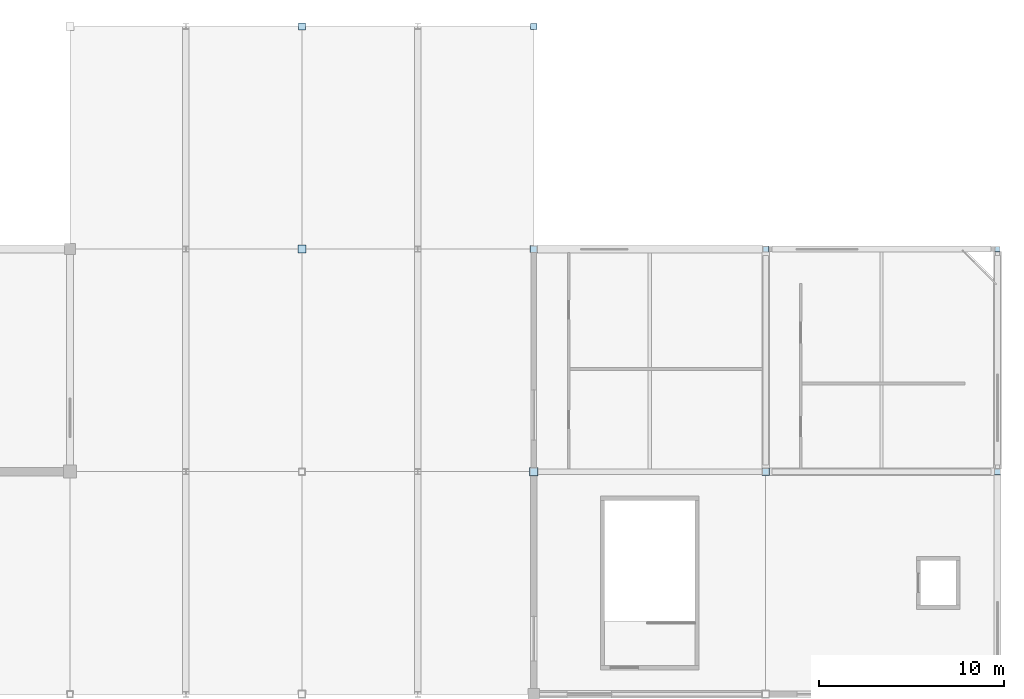
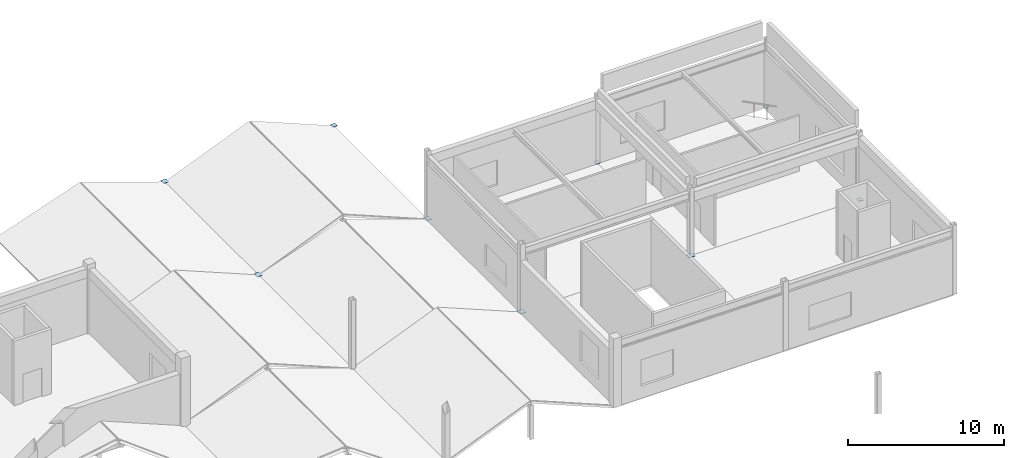
# One storey, part 61 of 76: 9 plates.
"""IFC4 building model written with IfcOpenShell, lengths in metres."""

from ifc_helpers import new_model, si_unit, direction, frame, origin, origin_2d, place, context, subcontext, project, spatial, rectangle, extrude, material, layer, layer_set, type_object, element, save


model = new_model("IFC4")

# Units and contexts
model_context = context("Model", 3, precision=1e-05, world=origin(), true_north=direction((0.0, 1.0)))
body_context = subcontext(model_context, "Body", "Model", "MODEL_VIEW")
ifc_project = project(units=[si_unit("LENGTHUNIT", "METRE"), si_unit("AREAUNIT", "SQUARE_METRE"), si_unit("VOLUMEUNIT", "CUBIC_METRE"), si_unit("PLANEANGLEUNIT", "RADIAN"), si_unit("MASSUNIT", "GRAM", prefix="KILO")], contexts=[model_context])

# Site, building, storey
site_placement = place(None, origin())
site = spatial("IfcSite", under=ifc_project, at=site_placement, CompositionType="ELEMENT")
building_placement = place(site_placement, origin())
building = spatial("IfcBuilding", under=site, at=building_placement, Name="Kazenohara Klinker Stadium", CompositionType="ELEMENT")
storey_placement = place(building_placement, frame((0.0, 0.0, 25.800048828125)))
storey = spatial("IfcBuildingStorey", under=building, at=storey_placement, Name="L05", CompositionType="ELEMENT", Elevation=25.800048828125)

# Plates
ifc_material = material(Name="Steel S355", Category="steel")
ifc_layer_1 = layer(ifc_material, 0.02001953125)
ifc_layer_set_1 = layer_set([ifc_layer_1], Name="Steel S355")
plate_type_1 = type_object("IfcPlateType", Name="PLT-GP01", PredefinedType="USERDEFINED", material=ifc_layer_set_1)
for number, where, z_axis, x_axis, name in (
    (1, (187.5, 156.0, -0.010009765625), (0.0, 0.0, 1.0), (1.0, 0.0, 0.0), "Hollow column end-cap plate GP01 L05 16/P"),
    (2, (200.0, 144.0, -0.010009765625), (0.0, 0.0, 1.0), (1.0, 0.0, 0.0), "Hollow column end-cap plate GP01 L05 17/N"),
):
    element("IfcPlate", number, at=place(storey_placement, frame(where, z_axis=z_axis, x_axis=x_axis)), inside=storey, type_object=plate_type_1, Name=name, ObjectType="GUSSET PLATE", PredefinedType="USERDEFINED", context=body_context, shape_type="SweptSolid", body=[
        extrude(rectangle(XDim=0.340087890625, YDim=0.340087890625, at=origin_2d()), origin(), (0.0, 0.0, 1.0), 0.02001953125),
    ])
ifc_layer_2 = layer(ifc_material, 0.02197265625)
ifc_layer_set_2 = layer_set([ifc_layer_2], Name="Steel S355")
plate_type_2 = type_object("IfcPlateType", Name="PLT-GP02", PredefinedType="USERDEFINED", material=ifc_layer_set_2)
for number, where, z_axis, x_axis, name in (
    (3, (162.5, 168.0, -0.010986328125), (0.0, 0.0, 1.0), (1.0, 0.0, 0.0), "Hollow column end-cap plate GP02 L05 14/Q"),
    (4, (187.5, 144.0, -0.010986328125), (0.0, 0.0, 1.0), (1.0, 0.0, 0.0), "Hollow column end-cap plate GP02 L05 16/N"),
):
    element("IfcPlate", number, at=place(storey_placement, frame(where, z_axis=z_axis, x_axis=x_axis)), inside=storey, type_object=plate_type_2, Name=name, ObjectType="GUSSET PLATE", PredefinedType="USERDEFINED", context=body_context, shape_type="SweptSolid", body=[
        extrude(rectangle(XDim=0.389892578125, YDim=0.389892578125, at=origin_2d()), origin(), (0.0, 0.0, 1.0), 0.02197265625),
    ])
ifc_layer_3 = layer(ifc_material, 0.02392578125)
ifc_layer_set_3 = layer_set([ifc_layer_3], Name="Steel S355")
plate_type_3 = type_object("IfcPlateType", Name="PLT-GP03", PredefinedType="USERDEFINED", material=ifc_layer_set_3)
plate_1_placement = place(storey_placement, frame((162.5, 156.0, -0.011962890625), z_axis=(0.0, 0.0, 1.0), x_axis=(1.0, 0.0, 0.0)))
element("IfcPlate", 5, at=plate_1_placement, inside=storey, type_object=plate_type_3, Name="Hollow column end-cap plate GP03 L05 14/P", ObjectType="GUSSET PLATE", PredefinedType="USERDEFINED", context=body_context, shape_type="SweptSolid", body=[
    extrude(rectangle(XDim=0.43994140625, YDim=0.43994140625, at=origin_2d()), origin(), (0.0, 0.0, 1.0), 0.02392578125),
])
plate_2_placement = place(storey_placement, frame((175.0, 168.0, -0.011962890625), z_axis=(0.0, 0.0, 1.0), x_axis=(1.0, 0.0, 0.0)))
element("IfcPlate", 6, at=plate_2_placement, inside=storey, type_object=plate_type_3, Name="Hollow column end-cap plate GP03 L05 15/Q", ObjectType="GUSSET PLATE", PredefinedType="USERDEFINED", context=body_context, shape_type="SweptSolid", body=[
    extrude(rectangle(XDim=0.340087890625, YDim=0.340087890625, at=origin_2d()), origin(), (0.0, 0.0, 1.0), 0.02392578125),
])
ifc_layer_4 = layer(ifc_material, 0.02490234375)
ifc_layer_set_4 = layer_set([ifc_layer_4], Name="Steel S355")
plate_type_4 = type_object("IfcPlateType", Name="PLT-GP04", PredefinedType="USERDEFINED", material=ifc_layer_set_4)
plate_3_placement = place(storey_placement, frame((175.0, 144.0, -0.012451171875), z_axis=(0.0, 0.0, 1.0), x_axis=(1.0, 0.0, 0.0)))
element("IfcPlate", 7, at=plate_3_placement, inside=storey, type_object=plate_type_4, Name="Hollow column end-cap plate GP04 L05 15/N", ObjectType="GUSSET PLATE", PredefinedType="USERDEFINED", context=body_context, shape_type="SweptSolid", body=[
    extrude(rectangle(XDim=0.43994140625, YDim=0.43994140625, at=origin_2d()), origin(), (0.0, 0.0, 1.0), 0.02490234375),
])
plate_4_placement = place(storey_placement, frame((175.0, 156.0, -0.012451171875), z_axis=(0.0, 0.0, 1.0), x_axis=(1.0, 0.0, 0.0)))
element("IfcPlate", 8, at=plate_4_placement, inside=storey, type_object=plate_type_4, Name="Hollow column end-cap plate GP04 L05 15/P", ObjectType="GUSSET PLATE", PredefinedType="USERDEFINED", context=body_context, shape_type="SweptSolid", body=[
    extrude(rectangle(XDim=0.389892578125, YDim=0.389892578125, at=origin_2d()), origin(), (0.0, 0.0, 1.0), 0.02490234375),
])
plate_5_placement = place(storey_placement, frame((200.0, 156.0, -0.012451171875), z_axis=(0.0, 0.0, 1.0), x_axis=(1.0, 0.0, 0.0)))
element("IfcPlate", 9, at=plate_5_placement, inside=storey, type_object=plate_type_4, Name="Hollow column end-cap plate GP04 L05 17/P", ObjectType="GUSSET PLATE", PredefinedType="USERDEFINED", context=body_context, shape_type="SweptSolid", body=[
    extrude(rectangle(XDim=0.2900390625, YDim=0.2900390625, at=origin_2d()), origin(), (0.0, 0.0, 1.0), 0.02490234375),
])

save(model, "model.ifc")
